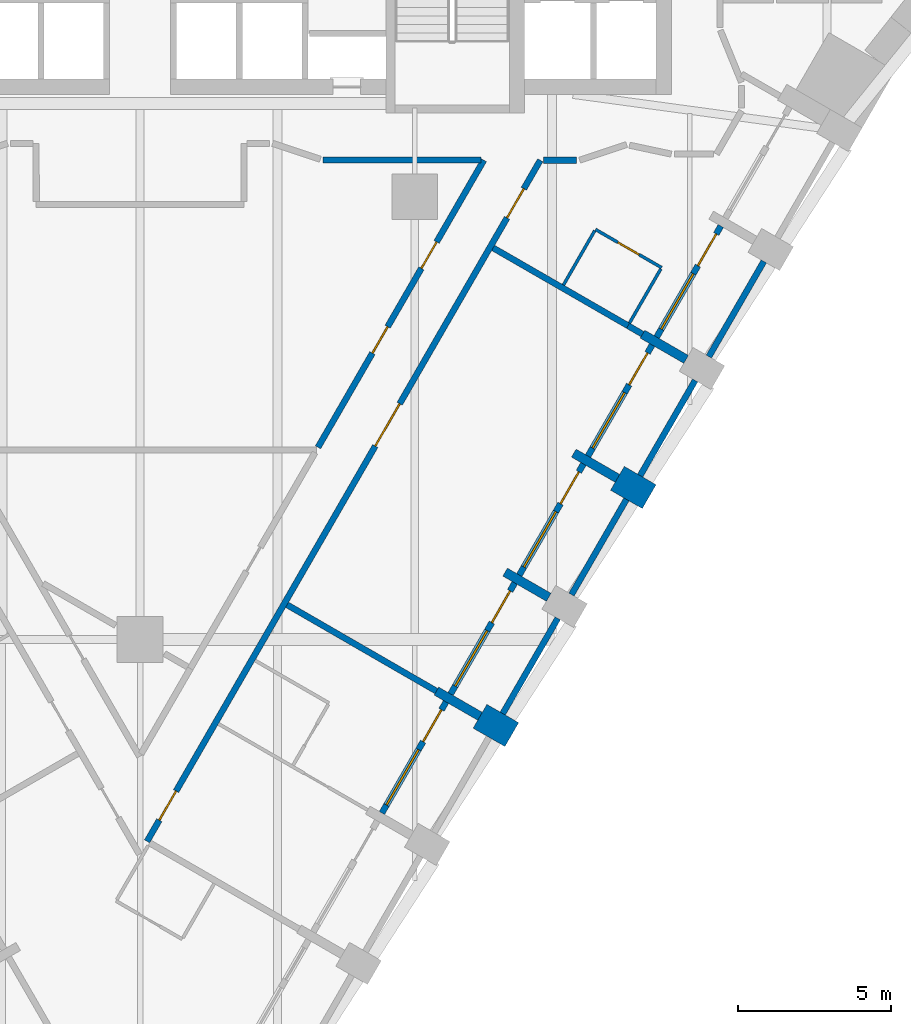
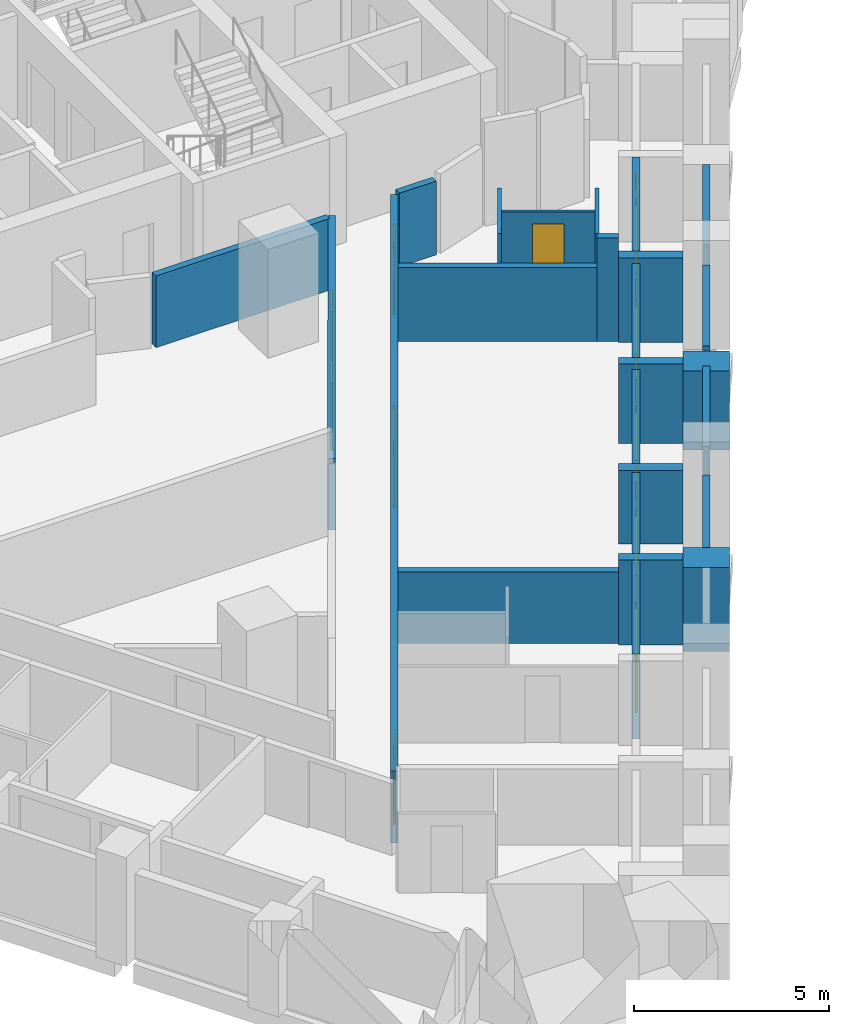
# One storey, part 5 of 11: 25 walls, 11 doors, 5 windows, 16 openings.
"""IFC4 building model written with IfcOpenShell, lengths in metres."""

from ifc_helpers import new_model, si_unit, direction, frame, frame_2d, origin, place, context, subcontext, project, spatial, rectangle, extrude, material, layer, layer_set, type_object, element, fill, save


model = new_model("IFC4")

# Units and contexts
model_context = context("Model", 3, precision=1e-05, world=origin(), true_north=direction((0.0, 1.0)))
body_context = subcontext(model_context, "Body", "Model", "MODEL_VIEW")
ifc_project = project(units=[si_unit("LENGTHUNIT", "METRE"), si_unit("AREAUNIT", "SQUARE_METRE"), si_unit("VOLUMEUNIT", "CUBIC_METRE"), si_unit("PLANEANGLEUNIT", "RADIAN"), si_unit("MASSUNIT", "GRAM", prefix="KILO")], contexts=[model_context])

# Site, building, storey
site_placement = place(None, origin())
site = spatial("IfcSite", under=ifc_project, at=site_placement, CompositionType="ELEMENT")
building_placement = place(site_placement, origin())
building = spatial("IfcBuilding", under=site, at=building_placement, Name="Calabash Gate Tower", CompositionType="ELEMENT")
storey_placement = place(building_placement, frame((0.0, 0.0, 125.800048828125)))
storey = spatial("IfcBuildingStorey", under=building, at=storey_placement, Name="L29", CompositionType="ELEMENT", Elevation=125.800048828125)

# Walls
ifc_material_1 = material(Name="Terracotta brick masonry, exposed face", Category="masonry")
ifc_layer_1 = layer(ifc_material_1, 1.199951171875)
ifc_layer_set_1 = layer_set([ifc_layer_1], Name="Brick end wall 1200")
wall_type_1 = type_object("IfcWallType", Name="Brick end wall 1200", PredefinedType="SOLIDWALL", material=ifc_layer_set_1)
wall_1_placement = place(storey_placement, frame((12.17626953125, -15.114990234375, 0.0), z_axis=(0.0, 0.0, 1.0), x_axis=(-0.866094119867, 0.499880961361, 0.0)))
element("IfcWall", 1, at=wall_1_placement, inside=storey, type_object=wall_type_1, Name="Brick pier S08 SE2.3", PredefinedType="SOLIDWALL", context=body_context, shape_type="SweptSolid", body=[
    extrude(rectangle(XDim=1.199951171875, YDim=0.89990234375, at=frame_2d((0.60009765625, 0.0))), origin(), (0.0, 0.0, 1.0), 2.6298828125),
])
wall_2_placement = place(storey_placement, frame((15.636962890625, -6.720947265625, 0.0), z_axis=(0.0, 0.0, 1.0), x_axis=(0.866094119867, -0.499880961361, 0.0)))
element("IfcWall", 2, at=wall_2_placement, inside=storey, type_object=wall_type_1, Name="Brick pier S08 SE2.5", PredefinedType="SOLIDWALL", context=body_context, shape_type="SweptSolid", body=[
    extrude(rectangle(XDim=1.199951171875, YDim=0.89990234375, at=frame_2d((0.60009765625, 0.0))), origin(), (0.0, 0.0, 1.0), 2.473388671875),
])
ifc_material_2 = material(Name="Terracotta brick masonry, exposed face", Category="masonry")
ifc_layer_2 = layer(ifc_material_2, 0.300048828125)
ifc_layer_set_2 = layer_set([ifc_layer_2], Name="Brick loggia cheek wall 300")
wall_type_2 = type_object("IfcWallType", Name="Brick loggia cheek wall 300", PredefinedType="SOLIDWALL", material=ifc_layer_set_2)
wall_3_placement = place(storey_placement, frame((9.7080078125, -13.690185546875, 0.0), z_axis=(0.0, 0.0, 1.0), x_axis=(0.866040211805, -0.499974350878, 0.0)))
element("IfcWall", 3, at=wall_3_placement, inside=storey, type_object=wall_type_2, Name="Loggia cheek S08 SE2.3", PredefinedType="SOLIDWALL", context=body_context, shape_type="SweptSolid", body=[
    extrude(rectangle(XDim=1.64990234375, YDim=0.300048828125, at=frame_2d((0.824951171875, 0.0))), origin(), (0.0, 0.0, 1.0), 2.64990234375),
])
wall_4_placement = place(storey_placement, frame((11.9580078125, -9.79296875, 0.0), z_axis=(0.0, 0.0, 1.0), x_axis=(0.866040211805, -0.499974350878, 0.0)))
element("IfcWall", 4, at=wall_4_placement, inside=storey, type_object=wall_type_2, Name="Loggia cheek S08 SE2.4", PredefinedType="SOLIDWALL", context=body_context, shape_type="SweptSolid", body=[
    extrude(rectangle(XDim=1.64990234375, YDim=0.300048828125, at=frame_2d((0.824951171875, 0.0))), origin(), (0.0, 0.0, 1.0), 2.307861328125),
])
wall_5_placement = place(storey_placement, frame((15.636962890625, -6.720947265625, 0.0), z_axis=(0.0, 0.0, 1.0), x_axis=(-0.865976140824, 0.500085316245, 0.0)))
element("IfcWall", 5, at=wall_5_placement, inside=storey, type_object=wall_type_2, Name="Loggia cheek S08 SE2.5", PredefinedType="SOLIDWALL", context=body_context, shape_type="SweptSolid", body=[
    extrude(rectangle(XDim=1.650146484375, YDim=0.300048828125, at=frame_2d((0.8251953125, 0.0))), origin(), (0.0, 0.0, 1.0), 2.473388671875),
])
wall_6_placement = place(storey_placement, frame((16.4580078125, -1.998779296875, 0.0), z_axis=(0.0, 0.0, 1.0), x_axis=(0.866040211805, -0.499974350878, 0.0)))
element("IfcWall", 6, at=wall_6_placement, inside=storey, type_object=wall_type_2, Name="Loggia cheek S08 SE2.6", PredefinedType="SOLIDWALL", context=body_context, shape_type="SweptSolid", body=[
    extrude(rectangle(XDim=1.64990234375, YDim=0.300048828125, at=frame_2d((0.824951171875, 0.0))), origin(), (0.0, 0.0, 1.0), 2.64990234375),
])
ifc_material_3 = material(Name="Gypsum board on steel studs, mineral wool", Category="steel")
ifc_layer_3 = layer(ifc_material_3, 0.10009765625)
ifc_layer_set_3 = layer_set([ifc_layer_3], Name="Partition 100 gypsum board")
wall_type_3 = type_object("IfcWallType", Name="Partition 100 gypsum board", PredefinedType="PARTITIONING", material=ifc_layer_set_3)
wall_7_placement = place(storey_placement, frame((16.030517578125, -1.635986328125, 0.0), z_axis=(0.0, 0.0, 1.0), x_axis=(0.500646589026, 0.865651773461, 0.0)))
element("IfcWall", 7, at=wall_7_placement, inside=storey, type_object=wall_type_3, Name="Partition", PredefinedType="PARTITIONING", context=body_context, shape_type="SweptSolid", body=[
    extrude(rectangle(XDim=2.050048828125, YDim=0.10009765625, at=frame_2d((1.02490234375, 0.0))), origin(), (0.0, 0.0, 1.0), 3.22998046875),
])

# Wall, opening, door
wall_8_placement = place(storey_placement, frame((14.9169921875, 1.431884765625, 0.0), z_axis=(0.0, 0.0, 1.0), x_axis=(0.866022959057, -0.500004234368, 0.0)))
wall_8 = element("IfcWall", 8, at=wall_8_placement, inside=storey, type_object=wall_type_3, Name="Partition", PredefinedType="PARTITIONING", context=body_context, shape_type="SweptSolid", body=[
    extrude(rectangle(XDim=2.5, YDim=0.10009765625, at=frame_2d((1.25, 0.0))), origin(), (0.0, 0.0, 1.0), 2.473388671875),
])
opening_1_placement = place(wall_8_placement, frame((0.85009765625, 0.0, 0.0)))
opening_1 = element("IfcOpeningElement", 9, at=opening_1_placement, cuts=wall_8, Name="Opening 28-30-014", PredefinedType="OPENING", context=body_context, shape_type="SweptSolid", body=[
    extrude(rectangle(XDim=0.800048828125, YDim=2.10009765625, at=frame_2d((0.39990234375, 1.050048828125))), frame((0.0, 0.06005859375, 0.0), z_axis=(0.0, -1.0, 0.0), x_axis=(1.0, 0.0, 0.0)), (0.0, 0.0, 1.0), 0.1201171875),
])
ifc_material_4 = material(Name="Painted timber door", Category="wood")
door_type_1 = type_object("IfcDoorType", Name="GD5 En-suite door 800x2100", OperationType="NOTDEFINED", PredefinedType="DOOR", material=ifc_material_4)
door_1_placement = place(opening_1_placement, origin())
door_1 = element("IfcDoor", 10, at=door_1_placement, inside=storey, type_object=door_type_1, Name="En-suite door", OperationType="SINGLE_SWING_RIGHT", OverallHeight=2.10009765625, OverallWidth=0.800048828125, PredefinedType="DOOR", context=body_context, shape_type="SweptSolid", body=[
    extrude(rectangle(XDim=0.800048828125, YDim=2.10009765625, at=frame_2d((0.39990234375, 1.050048828125))), frame((0.0, 0.02490234375, 0.0), z_axis=(0.0, -1.0, 0.0), x_axis=(1.0, 0.0, 0.0)), (0.0, 0.0, 1.0), 0.050048828125),
])
fill(opening_1, door_1)

# Walls
wall_9_placement = place(storey_placement, frame((13.868408203125, -0.387451171875, 0.0), z_axis=(0.0, 0.0, 1.0), x_axis=(0.499265284884, 0.866449176415, 0.0)))
element("IfcWall", 11, at=wall_9_placement, inside=storey, type_object=wall_type_3, Name="Partition", PredefinedType="PARTITIONING", context=body_context, shape_type="SweptSolid", body=[
    extrude(rectangle(XDim=2.0498046875, YDim=0.10009765625, at=frame_2d((1.02490234375, 0.0))), origin(), (0.0, 0.0, 1.0), 3.22998046875),
])
ifc_material_5 = material(Name="Gypsum board on steel studs, mineral wool", Category="steel")
ifc_layer_4 = layer(ifc_material_5, 0.199951171875)
ifc_layer_set_4 = layer_set([ifc_layer_4], Name="Partition 200 gypsum board EI 60")
wall_type_4 = type_object("IfcWallType", Name="Partition 200 gypsum board EI 60", PredefinedType="PARTITIONING", material=ifc_layer_set_4)
wall_10_placement = place(storey_placement, frame((4.816162109375, -10.863525390625, 0.0), z_axis=(0.0, 0.0, 1.0), x_axis=(0.865863825321, -0.500279757735, 0.0)))
element("IfcWall", 12, at=wall_10_placement, inside=storey, type_object=wall_type_4, Name="Partition", PredefinedType="PARTITIONING", context=body_context, shape_type="SweptSolid", body=[
    extrude(rectangle(XDim=5.649658203125, YDim=0.199951171875, at=frame_2d((2.82470703125, 0.0))), origin(), (0.0, 0.0, 1.0), 2.24169921875),
])

# Wall, openings, doors
wall_11_placement = place(storey_placement, frame((5.8291015625, -5.70458984375, 0.0), z_axis=(0.0, 0.0, 1.0), x_axis=(0.500142759665, 0.865942965763, 0.0)))
wall_11 = element("IfcWall", 13, at=wall_11_placement, inside=storey, type_object=wall_type_4, Name="Partition", PredefinedType="PARTITIONING", context=body_context, shape_type="SweptSolid", body=[
    extrude(rectangle(XDim=10.860107421875, YDim=0.199951171875, at=frame_2d((5.43017578125, 0.0))), origin(), (0.0, 0.0, 1.0), 2.24169921875),
])
opening_2_placement = place(wall_11_placement, frame((6.768310546875, 0.0, 0.0)))
opening_2 = element("IfcOpeningElement", 14, at=opening_2_placement, cuts=wall_11, Name="Opening 28-30-011", PredefinedType="OPENING", context=body_context, shape_type="SweptSolid", body=[
    extrude(rectangle(XDim=1.0, YDim=2.10009765625, at=frame_2d((0.5, 1.050048828125))), frame((0.0, 0.10986328125, 0.0), z_axis=(0.0, -1.0, 0.0), x_axis=(1.0, 0.0, 0.0)), (0.0, 0.0, 1.0), 0.219970703125),
])
opening_3_placement = place(wall_11_placement, frame((3.56298828125, 0.0, 0.0)))
opening_3 = element("IfcOpeningElement", 15, at=opening_3_placement, cuts=wall_11, Name="Opening 28-30-025", PredefinedType="OPENING", context=body_context, shape_type="SweptSolid", body=[
    extrude(rectangle(XDim=1.0, YDim=2.10009765625, at=frame_2d((0.5, 1.050048828125))), frame((0.0, 0.10986328125, 0.0), z_axis=(0.0, -1.0, 0.0), x_axis=(1.0, 0.0, 0.0)), (0.0, 0.0, 1.0), 0.219970703125),
])
ifc_material_6 = material(Name="Steel fire door set with fire-resisting glazing", Category="steel")
door_type_2 = type_object("IfcDoorType", Name="LD2 Meeting room door 1000x2100", OperationType="NOTDEFINED", PredefinedType="DOOR", material=ifc_material_6)
door_2_placement = place(opening_2_placement, origin())
door_2 = element("IfcDoor", 16, at=door_2_placement, inside=storey, type_object=door_type_2, Name="Meeting room door", OperationType="SINGLE_SWING_RIGHT", OverallHeight=2.10009765625, OverallWidth=1.0, PredefinedType="DOOR", context=body_context, shape_type="SweptSolid", body=[
    extrude(rectangle(XDim=1.0, YDim=2.10009765625, at=frame_2d((0.5, 1.050048828125))), frame((0.0, 0.02490234375, 0.0), z_axis=(0.0, -1.0, 0.0), x_axis=(1.0, 0.0, 0.0)), (0.0, 0.0, 1.0), 0.050048828125),
])
fill(opening_2, door_2)
door_3_placement = place(opening_3_placement, origin())
door_3 = element("IfcDoor", 17, at=door_3_placement, inside=storey, type_object=door_type_2, Name="Meeting room door", OperationType="SINGLE_SWING_LEFT", OverallHeight=2.10009765625, OverallWidth=1.0, PredefinedType="DOOR", context=body_context, shape_type="SweptSolid", body=[
    extrude(rectangle(XDim=1.0, YDim=2.10009765625, at=frame_2d((0.5, 1.050048828125))), frame((0.0, 0.02490234375, 0.0), z_axis=(0.0, -1.0, 0.0), x_axis=(1.0, 0.0, 0.0)), (0.0, 0.0, 1.0), 0.050048828125),
])
fill(opening_3, door_3)

# Walls
wall_12_placement = place(storey_placement, frame((15.98291015625, -1.72216796875, 0.0), z_axis=(0.0, 0.0, 1.0), x_axis=(0.864695615284, -0.502296220281, 0.0)))
element("IfcWall", 18, at=wall_12_placement, inside=storey, type_object=wall_type_4, Name="Partition", PredefinedType="PARTITIONING", context=body_context, shape_type="SweptSolid", body=[
    extrude(rectangle(XDim=0.5498046875, YDim=0.199951171875, at=frame_2d((0.27490234375, 0.0))), origin(), (0.0, 0.0, 1.0), 3.22998046875),
])
wall_13_placement = place(storey_placement, frame((11.565673828125, 0.826416015625, 0.0), z_axis=(0.0, 0.0, 1.0), x_axis=(0.866318662666, -0.499491716364, 0.0)))
element("IfcWall", 19, at=wall_13_placement, inside=storey, type_object=wall_type_4, Name="Partition", PredefinedType="PARTITIONING", context=body_context, shape_type="SweptSolid", body=[
    extrude(rectangle(XDim=5.099365234375, YDim=0.199951171875, at=frame_2d((2.5498046875, 0.0))), origin(), (0.0, 0.0, 1.0), 2.307861328125),
])
wall_14_placement = place(storey_placement, frame((6.0, 3.69970703125, 0.0), z_axis=(0.0, 0.0, 1.0), x_axis=(1.0, 0.0, 0.0)))
element("IfcWall", 20, at=wall_14_placement, inside=storey, type_object=wall_type_4, Name="Partition", PredefinedType="PARTITIONING", context=body_context, shape_type="SweptSolid", body=[
    extrude(rectangle(XDim=5.160888671875, YDim=0.199951171875, at=frame_2d((2.58056640625, 0.0))), origin(), (0.0, 0.0, 1.0), 2.24169921875),
])

# Wall, openings, doors
wall_15_placement = place(storey_placement, frame((0.22998046875, -18.6103515625, 0.0), z_axis=(0.0, 0.0, 1.0), x_axis=(0.499999197515, 0.866025867099, 0.0)))
wall_15 = element("IfcWall", 21, at=wall_15_placement, inside=storey, type_object=wall_type_4, Name="Partition", PredefinedType="PARTITIONING", context=body_context, shape_type="SweptSolid", body=[
    extrude(rectangle(XDim=25.76025390625, YDim=0.199951171875, at=frame_2d((12.880126953125, 0.0))), origin(), (0.0, 0.0, 1.0), 2.24169921875),
])
opening_4_placement = place(wall_15_placement, frame((0.800048828125, 0.0, 0.0)))
opening_4 = element("IfcOpeningElement", 22, at=opening_4_placement, cuts=wall_15, Name="Opening 28-30-007", PredefinedType="OPENING", context=body_context, shape_type="SweptSolid", body=[
    extrude(rectangle(XDim=1.10009765625, YDim=2.10009765625, at=frame_2d((0.550048828125, 1.050048828125))), frame((0.0, 0.10986328125, 0.0), z_axis=(0.0, -1.0, 0.0), x_axis=(1.0, 0.0, 0.0)), (0.0, 0.0, 1.0), 0.219970703125),
])
opening_5_placement = place(wall_15_placement, frame((14.9501953125, 0.0, 0.0)))
opening_5 = element("IfcOpeningElement", 23, at=opening_5_placement, cuts=wall_15, Name="Opening 28-30-010", PredefinedType="OPENING", context=body_context, shape_type="SweptSolid", body=[
    extrude(rectangle(XDim=1.60009765625, YDim=2.10009765625, at=frame_2d((0.800048828125, 1.050048828125))), frame((0.0, 0.10986328125, 0.0), z_axis=(0.0, -1.0, 0.0), x_axis=(1.0, 0.0, 0.0)), (0.0, 0.0, 1.0), 0.219970703125),
])
opening_6_placement = place(wall_15_placement, frame((23.580322265625, 0.0, 0.0)))
opening_6 = element("IfcOpeningElement", 24, at=opening_6_placement, cuts=wall_15, Name="Opening 28-30-023", PredefinedType="OPENING", context=body_context, shape_type="SweptSolid", body=[
    extrude(rectangle(XDim=1.10009765625, YDim=2.10009765625, at=frame_2d((0.550048828125, 1.050048828125))), frame((0.0, 0.10986328125, 0.0), z_axis=(0.0, -1.0, 0.0), x_axis=(1.0, 0.0, 0.0)), (0.0, 0.0, 1.0), 0.219970703125),
])
ifc_material_7 = material(Name="Steel fire door set with fire-resisting glazing", Category="steel")
door_type_3 = type_object("IfcDoorType", Name="GD3 Suite entrance door 1100x2100", OperationType="NOTDEFINED", PredefinedType="DOOR", material=ifc_material_7)
door_4_placement = place(opening_4_placement, origin())
door_4 = element("IfcDoor", 25, at=door_4_placement, inside=storey, type_object=door_type_3, Name="Suite entrance door", OperationType="SINGLE_SWING_RIGHT", OverallHeight=2.10009765625, OverallWidth=1.10009765625, PredefinedType="DOOR", context=body_context, shape_type="SweptSolid", body=[
    extrude(rectangle(XDim=1.10009765625, YDim=2.10009765625, at=frame_2d((0.550048828125, 1.050048828125))), frame((0.0, 0.02490234375, 0.0), z_axis=(0.0, -1.0, 0.0), x_axis=(1.0, 0.0, 0.0)), (0.0, 0.0, 1.0), 0.050048828125),
])
fill(opening_4, door_4)
door_5_placement = place(opening_6_placement, origin())
door_5 = element("IfcDoor", 26, at=door_5_placement, inside=storey, type_object=door_type_3, Name="Suite entrance door", OperationType="SINGLE_SWING_LEFT", OverallHeight=2.10009765625, OverallWidth=1.10009765625, PredefinedType="DOOR", context=body_context, shape_type="SweptSolid", body=[
    extrude(rectangle(XDim=1.10009765625, YDim=2.10009765625, at=frame_2d((0.550048828125, 1.050048828125))), frame((0.0, 0.02490234375, 0.0), z_axis=(0.0, -1.0, 0.0), x_axis=(1.0, 0.0, 0.0)), (0.0, 0.0, 1.0), 0.050048828125),
])
fill(opening_6, door_5)
ifc_material_8 = material(Name="Steel fire door set with fire-resisting glazing", Category="steel")
door_type_4 = type_object("IfcDoorType", Name="LD1 Lounge double door 1600x2100", OperationType="NOTDEFINED", PredefinedType="DOOR", material=ifc_material_8)
door_6_placement = place(opening_5_placement, origin())
door_6 = element("IfcDoor", 27, at=door_6_placement, inside=storey, type_object=door_type_4, Name="Lounge double door", OperationType="DOUBLE_DOOR_SINGLE_SWING", OverallHeight=2.10009765625, OverallWidth=1.60009765625, PredefinedType="DOOR", context=body_context, shape_type="SweptSolid", body=[
    extrude(rectangle(XDim=1.60009765625, YDim=2.10009765625, at=frame_2d((0.800048828125, 1.050048828125))), frame((0.0, 0.02490234375, 0.0), z_axis=(0.0, -1.0, 0.0), x_axis=(1.0, 0.0, 0.0)), (0.0, 0.0, 1.0), 0.050048828125),
])
fill(opening_5, door_6)

# Walls
wall_16_placement = place(storey_placement, frame((13.208984375, 3.699462890625, 0.0), z_axis=(0.0, 0.0, 1.0), x_axis=(1.0, 0.0, 0.0)))
element("IfcWall", 28, at=wall_16_placement, inside=storey, type_object=wall_type_4, Name="Partition", PredefinedType="PARTITIONING", context=body_context, shape_type="SweptSolid", body=[
    extrude(rectangle(XDim=1.091064453125, YDim=0.199951171875, at=frame_2d((0.54541015625, 0.0))), origin(), (0.0, 0.0, 1.0), 2.307861328125),
])
ifc_material_9 = material(Name="Terracotta brick masonry, perforated", Category="masonry")
ifc_layer_5 = layer(ifc_material_9, 0.199951171875)
ifc_layer_set_5 = layer_set([ifc_layer_5], Name="Terracotta jaali screen B")
wall_type_5 = type_object("IfcWallType", Name="Terracotta jaali screen B", PredefinedType="SOLIDWALL", material=ifc_layer_set_5)
wall_17_placement = place(storey_placement, frame((11.881591796875, -14.42529296875, 0.0), z_axis=(0.0, 0.0, 1.0), x_axis=(0.500012057535, 0.866018442252, 0.0)))
element("IfcWall", 29, at=wall_17_placement, inside=storey, type_object=wall_type_5, Name="SCREEN B S08 SE2.4", PredefinedType="SOLIDWALL", context=body_context, shape_type="SweptSolid", body=[
    extrude(rectangle(XDim=3.60009765625, YDim=0.199951171875, at=frame_2d((1.800048828125, 0.0))), origin(), (0.0, 0.0, 1.0), 2.3740234375),
])
for number, where, z_axis, x_axis, name in (
    (30, (14.131591796875, -10.5283203125, 0.0), (0.0, 0.0, 1.0), (0.500012057535, 0.866018442252, 0.0), "SCREEN B S08 SE2.5"),
    (31, (16.381591796875, -6.631103515625, 0.0), (0.0, 0.0, 1.0), (0.500012057535, 0.866018442252, 0.0), "SCREEN B S08 SE2.6"),
):
    element("IfcWall", number, at=place(storey_placement, frame(where, z_axis=z_axis, x_axis=x_axis)), inside=storey, type_object=wall_type_5, Name=name, PredefinedType="SOLIDWALL", context=body_context, shape_type="SweptSolid", body=[
        extrude(rectangle(XDim=3.60009765625, YDim=0.199951171875, at=frame_2d((1.800048828125, 0.0))), origin(), (0.0, 0.0, 1.0), 2.6298828125),
    ])
wall_18_placement = place(storey_placement, frame((18.631591796875, -2.734130859375, 0.0), z_axis=(0.0, 0.0, 1.0), x_axis=(0.499982693035, 0.866035395735, 0.0)))
element("IfcWall", 32, at=wall_18_placement, inside=storey, type_object=wall_type_5, Name="SCREEN B S08 SE2.7", PredefinedType="SOLIDWALL", context=body_context, shape_type="SweptSolid", body=[
    extrude(rectangle(XDim=3.600341796875, YDim=0.199951171875, at=frame_2d((1.80029296875, 0.0))), origin(), (0.0, 0.0, 1.0), 2.6298828125),
])

# Wall, openings, door, window
ifc_material_10 = material(Name="Aluminium framed window wall with insulated spandrel", Category="aluminium")
ifc_layer_6 = layer(ifc_material_10, 0.199951171875)
ifc_layer_set_6 = layer_set([ifc_layer_6], Name="Window wall 200")
wall_type_6 = type_object("IfcWallType", Name="Window wall 200", PredefinedType="ELEMENTEDWALL", material=ifc_layer_set_6)
wall_19_placement = place(storey_placement, frame((7.9228515625, -17.682373046875, 0.0), z_axis=(0.0, 0.0, 1.0), x_axis=(0.499958946799, 0.866049104564, 0.0)))
wall_19 = element("IfcWall", 33, at=wall_19_placement, inside=storey, type_object=wall_type_6, Name="Window wall S08 SE2.3", PredefinedType="ELEMENTEDWALL", context=body_context, shape_type="SweptSolid", body=[
    extrude(rectangle(XDim=4.199951171875, YDim=0.199951171875, at=frame_2d((2.10009765625, 0.0))), origin(), (0.0, 0.0, 1.0), 2.64990234375),
])
opening_7_placement = place(wall_19_placement, frame((0.300048828125, 0.0, 0.60009765625)))
opening_7 = element("IfcOpeningElement", 34, at=opening_7_placement, cuts=wall_19, Name="Opening HW1", PredefinedType="OPENING", context=body_context, shape_type="SweptSolid", body=[
    extrude(rectangle(XDim=2.10009765625, YDim=1.800048828125, at=frame_2d((1.050048828125, 0.89990234375))), frame((0.0, 0.10986328125, 0.0), z_axis=(0.0, -1.0, 0.0), x_axis=(1.0, 0.0, 0.0)), (0.0, 0.0, 1.0), 0.219970703125),
])
opening_8_placement = place(wall_19_placement, frame((2.699951171875, 0.0, 0.0)))
opening_8 = element("IfcOpeningElement", 35, at=opening_8_placement, cuts=wall_19, Name="Opening H8-020", PredefinedType="OPENING", context=body_context, shape_type="SweptSolid", body=[
    extrude(rectangle(XDim=1.199951171875, YDim=2.39990234375, at=frame_2d((0.60009765625, 1.199951171875))), frame((0.0, 0.10986328125, 0.0), z_axis=(0.0, -1.0, 0.0), x_axis=(1.0, 0.0, 0.0)), (0.0, 0.0, 1.0), 0.219970703125),
])
ifc_material_11 = material(Name="Anodised aluminium frame, bronze finish, impact-rated laminated clear glazing", Category="aluminium")
door_type_5 = type_object("IfcDoorType", Name="Loggia door DH1 1200x2400", OperationType="SLIDING_TO_LEFT", PredefinedType="DOOR", material=ifc_material_11)
door_7_placement = place(opening_8_placement, origin())
door_7 = element("IfcDoor", 36, at=door_7_placement, inside=storey, type_object=door_type_5, Name="Loggia door S08 SE2.3", OperationType="SINGLE_SWING_LEFT", OverallHeight=2.39990234375, OverallWidth=1.199951171875, PredefinedType="DOOR", context=body_context, shape_type="SweptSolid", body=[
    extrude(rectangle(XDim=1.199951171875, YDim=2.39990234375, at=frame_2d((0.60009765625, 1.199951171875))), frame((0.0, 0.02490234375, 0.0), z_axis=(0.0, -1.0, 0.0), x_axis=(1.0, 0.0, 0.0)), (0.0, 0.0, 1.0), 0.050048828125),
])
fill(opening_8, door_7)
ifc_material_12 = material(Name="Anodised aluminium frame, bronze finish, impact-rated laminated clear glazing", Category="aluminium")
window_type_1 = type_object("IfcWindowType", Name="Window HW1 2100x1800", PartitioningType="DOUBLE_PANEL_VERTICAL", PredefinedType="WINDOW", material=ifc_material_12)
window_1_placement = place(opening_7_placement, origin())
window_1 = element("IfcWindow", 37, at=window_1_placement, inside=storey, type_object=window_type_1, Name="Window HW1 S08 SE2.3", OverallHeight=1.800048828125, OverallWidth=2.10009765625, PartitioningType="SINGLE_PANEL", PredefinedType="WINDOW", context=body_context, shape_type="SweptSolid", body=[
    extrude(rectangle(XDim=2.10009765625, YDim=1.800048828125, at=frame_2d((1.050048828125, 0.89990234375))), frame((0.0, 0.030029296875, 0.0), z_axis=(0.0, -1.0, 0.0), x_axis=(1.0, 0.0, 0.0)), (0.0, 0.0, 1.0), 0.06005859375),
])
fill(opening_7, window_1)

wall_20_placement = place(storey_placement, frame((10.1728515625, -13.78515625, 0.0), z_axis=(0.0, 0.0, 1.0), x_axis=(0.49998411664, 0.866034573852, 0.0)))
wall_20 = element("IfcWall", 38, at=wall_20_placement, inside=storey, type_object=wall_type_6, Name="Window wall S08 SE2.4", PredefinedType="ELEMENTEDWALL", context=body_context, shape_type="SweptSolid", body=[
    extrude(rectangle(XDim=4.199951171875, YDim=0.199951171875, at=frame_2d((2.10009765625, 0.0))), origin(), (0.0, 0.0, 1.0), 2.24169921875),
])
opening_9_placement = place(wall_20_placement, frame((0.300048828125, 0.0, 0.60009765625)))
opening_9 = element("IfcOpeningElement", 39, at=opening_9_placement, cuts=wall_20, Name="Opening HW1L-1540", PredefinedType="OPENING", context=body_context, shape_type="SweptSolid", body=[
    extrude(rectangle(XDim=2.10009765625, YDim=1.5400390625, at=frame_2d((1.050048828125, 0.77001953125))), frame((0.0, 0.10986328125, 0.0), z_axis=(0.0, -1.0, 0.0), x_axis=(1.0, 0.0, 0.0)), (0.0, 0.0, 1.0), 0.219970703125),
])
opening_10_placement = place(wall_20_placement, frame((2.699951171875, 0.0, 0.0)))
opening_10 = element("IfcOpeningElement", 40, at=opening_10_placement, cuts=wall_20, Name="Opening H8-021", PredefinedType="OPENING", context=body_context, shape_type="SweptSolid", body=[
    extrude(rectangle(XDim=1.199951171875, YDim=2.139892578125, at=frame_2d((0.60009765625, 1.06982421875))), frame((0.0, 0.10986328125, 0.0), z_axis=(0.0, -1.0, 0.0), x_axis=(1.0, 0.0, 0.0)), (0.0, 0.0, 1.0), 0.219970703125),
])
ifc_material_13 = material(Name="Anodised aluminium frame, bronze finish, impact-rated laminated clear glazing", Category="aluminium")
door_type_6 = type_object("IfcDoorType", Name="Loggia door DH1L-2140 1200x2140", OperationType="SLIDING_TO_LEFT", PredefinedType="DOOR", material=ifc_material_13)
door_8_placement = place(opening_10_placement, origin())
door_8 = element("IfcDoor", 41, at=door_8_placement, inside=storey, type_object=door_type_6, Name="Loggia door S08 SE2.4", OperationType="SINGLE_SWING_LEFT", OverallHeight=2.139892578125, OverallWidth=1.199951171875, PredefinedType="DOOR", context=body_context, shape_type="SweptSolid", body=[
    extrude(rectangle(XDim=1.199951171875, YDim=2.139892578125, at=frame_2d((0.60009765625, 1.06982421875))), frame((0.0, 0.02490234375, 0.0), z_axis=(0.0, -1.0, 0.0), x_axis=(1.0, 0.0, 0.0)), (0.0, 0.0, 1.0), 0.050048828125),
])
fill(opening_10, door_8)
ifc_material_14 = material(Name="Anodised aluminium frame, bronze finish, impact-rated laminated clear glazing", Category="aluminium")
window_type_2 = type_object("IfcWindowType", Name="Window HW1L 2100x1540", PartitioningType="DOUBLE_PANEL_VERTICAL", PredefinedType="WINDOW", material=ifc_material_14)
window_2_placement = place(opening_9_placement, origin())
window_2 = element("IfcWindow", 42, at=window_2_placement, inside=storey, type_object=window_type_2, Name="Window HW1 S08 SE2.4", OverallHeight=1.5400390625, OverallWidth=2.10009765625, PartitioningType="SINGLE_PANEL", PredefinedType="WINDOW", context=body_context, shape_type="SweptSolid", body=[
    extrude(rectangle(XDim=2.10009765625, YDim=1.5400390625, at=frame_2d((1.050048828125, 0.77001953125))), frame((0.0, 0.030029296875, 0.0), z_axis=(0.0, -1.0, 0.0), x_axis=(1.0, 0.0, 0.0)), (0.0, 0.0, 1.0), 0.06005859375),
])
fill(opening_9, window_2)

wall_21_placement = place(storey_placement, frame((12.4228515625, -9.887939453125, 0.0), z_axis=(0.0, 0.0, 1.0), x_axis=(0.49998411664, 0.866034573852, 0.0)))
wall_21 = element("IfcWall", 43, at=wall_21_placement, inside=storey, type_object=wall_type_6, Name="Window wall S08 SE2.5", PredefinedType="ELEMENTEDWALL", context=body_context, shape_type="SweptSolid", body=[
    extrude(rectangle(XDim=4.199951171875, YDim=0.199951171875, at=frame_2d((2.10009765625, 0.0))), origin(), (0.0, 0.0, 1.0), 2.307861328125),
])
opening_11_placement = place(wall_21_placement, frame((0.300048828125, 0.0, 0.60009765625)))
opening_11 = element("IfcOpeningElement", 44, at=opening_11_placement, cuts=wall_21, Name="Opening HW1L-1610", PredefinedType="OPENING", context=body_context, shape_type="SweptSolid", body=[
    extrude(rectangle(XDim=2.10009765625, YDim=1.610107421875, at=frame_2d((1.050048828125, 0.80517578125))), frame((0.0, 0.10986328125, 0.0), z_axis=(0.0, -1.0, 0.0), x_axis=(1.0, 0.0, 0.0)), (0.0, 0.0, 1.0), 0.219970703125),
])
opening_12_placement = place(wall_21_placement, frame((2.699951171875, 0.0, 0.0)))
opening_12 = element("IfcOpeningElement", 45, at=opening_12_placement, cuts=wall_21, Name="Opening H8-022", PredefinedType="OPENING", context=body_context, shape_type="SweptSolid", body=[
    extrude(rectangle(XDim=1.199951171875, YDim=2.2099609375, at=frame_2d((0.60009765625, 1.10498046875))), frame((0.0, 0.10986328125, 0.0), z_axis=(0.0, -1.0, 0.0), x_axis=(1.0, 0.0, 0.0)), (0.0, 0.0, 1.0), 0.219970703125),
])
ifc_material_15 = material(Name="Anodised aluminium frame, bronze finish, impact-rated laminated clear glazing", Category="aluminium")
door_type_7 = type_object("IfcDoorType", Name="Loggia door DH1L-2210 1200x2210", OperationType="SLIDING_TO_LEFT", PredefinedType="DOOR", material=ifc_material_15)
door_9_placement = place(opening_12_placement, origin())
door_9 = element("IfcDoor", 46, at=door_9_placement, inside=storey, type_object=door_type_7, Name="Loggia door S08 SE2.5", OperationType="SINGLE_SWING_LEFT", OverallHeight=2.2099609375, OverallWidth=1.199951171875, PredefinedType="DOOR", context=body_context, shape_type="SweptSolid", body=[
    extrude(rectangle(XDim=1.199951171875, YDim=2.2099609375, at=frame_2d((0.60009765625, 1.10498046875))), frame((0.0, 0.02490234375, 0.0), z_axis=(0.0, -1.0, 0.0), x_axis=(1.0, 0.0, 0.0)), (0.0, 0.0, 1.0), 0.050048828125),
])
fill(opening_12, door_9)
ifc_material_16 = material(Name="Anodised aluminium frame, bronze finish, impact-rated laminated clear glazing", Category="aluminium")
window_type_3 = type_object("IfcWindowType", Name="Window HW1L 2100x1610", PartitioningType="DOUBLE_PANEL_VERTICAL", PredefinedType="WINDOW", material=ifc_material_16)
window_3_placement = place(opening_11_placement, origin())
window_3 = element("IfcWindow", 47, at=window_3_placement, inside=storey, type_object=window_type_3, Name="Window HW1 S08 SE2.5", OverallHeight=1.610107421875, OverallWidth=2.10009765625, PartitioningType="SINGLE_PANEL", PredefinedType="WINDOW", context=body_context, shape_type="SweptSolid", body=[
    extrude(rectangle(XDim=2.10009765625, YDim=1.610107421875, at=frame_2d((1.050048828125, 0.80517578125))), frame((0.0, 0.030029296875, 0.0), z_axis=(0.0, -1.0, 0.0), x_axis=(1.0, 0.0, 0.0)), (0.0, 0.0, 1.0), 0.06005859375),
])
fill(opening_11, window_3)

wall_22_placement = place(storey_placement, frame((14.6728515625, -5.990966796875, 0.0), z_axis=(0.0, 0.0, 1.0), x_axis=(0.499958946799, 0.866049104564, 0.0)))
wall_22 = element("IfcWall", 48, at=wall_22_placement, inside=storey, type_object=wall_type_6, Name="Window wall S08 SE2.6", PredefinedType="ELEMENTEDWALL", context=body_context, shape_type="SweptSolid", body=[
    extrude(rectangle(XDim=4.199951171875, YDim=0.199951171875, at=frame_2d((2.10009765625, 0.0))), origin(), (0.0, 0.0, 1.0), 2.473388671875),
])
opening_13_placement = place(wall_22_placement, frame((0.300048828125, 0.0, 0.60009765625)))
opening_13 = element("IfcOpeningElement", 49, at=opening_13_placement, cuts=wall_22, Name="Opening HW1L-1770", PredefinedType="OPENING", context=body_context, shape_type="SweptSolid", body=[
    extrude(rectangle(XDim=2.10009765625, YDim=1.77001953125, at=frame_2d((1.050048828125, 0.885009765625))), frame((0.0, 0.10986328125, 0.0), z_axis=(0.0, -1.0, 0.0), x_axis=(1.0, 0.0, 0.0)), (0.0, 0.0, 1.0), 0.219970703125),
])
opening_14_placement = place(wall_22_placement, frame((2.699951171875, 0.0, 0.0)))
opening_14 = element("IfcOpeningElement", 50, at=opening_14_placement, cuts=wall_22, Name="Opening H8-023", PredefinedType="OPENING", context=body_context, shape_type="SweptSolid", body=[
    extrude(rectangle(XDim=1.199951171875, YDim=2.3701171875, at=frame_2d((0.60009765625, 1.18505859375))), frame((0.0, 0.10986328125, 0.0), z_axis=(0.0, -1.0, 0.0), x_axis=(1.0, 0.0, 0.0)), (0.0, 0.0, 1.0), 0.219970703125),
])
ifc_material_17 = material(Name="Anodised aluminium frame, bronze finish, impact-rated laminated clear glazing", Category="aluminium")
door_type_8 = type_object("IfcDoorType", Name="Loggia door DH1L-2370 1200x2370", OperationType="SLIDING_TO_LEFT", PredefinedType="DOOR", material=ifc_material_17)
door_10_placement = place(opening_14_placement, origin())
door_10 = element("IfcDoor", 51, at=door_10_placement, inside=storey, type_object=door_type_8, Name="Loggia door S08 SE2.6", OperationType="SINGLE_SWING_LEFT", OverallHeight=2.3701171875, OverallWidth=1.199951171875, PredefinedType="DOOR", context=body_context, shape_type="SweptSolid", body=[
    extrude(rectangle(XDim=1.199951171875, YDim=2.3701171875, at=frame_2d((0.60009765625, 1.18505859375))), frame((0.0, 0.02490234375, 0.0), z_axis=(0.0, -1.0, 0.0), x_axis=(1.0, 0.0, 0.0)), (0.0, 0.0, 1.0), 0.050048828125),
])
fill(opening_14, door_10)
ifc_material_18 = material(Name="Anodised aluminium frame, bronze finish, impact-rated laminated clear glazing", Category="aluminium")
window_type_4 = type_object("IfcWindowType", Name="Window HW1L 2100x1770", PartitioningType="DOUBLE_PANEL_VERTICAL", PredefinedType="WINDOW", material=ifc_material_18)
window_4_placement = place(opening_13_placement, origin())
window_4 = element("IfcWindow", 52, at=window_4_placement, inside=storey, type_object=window_type_4, Name="Window HW1 S08 SE2.6", OverallHeight=1.77001953125, OverallWidth=2.10009765625, PartitioningType="SINGLE_PANEL", PredefinedType="WINDOW", context=body_context, shape_type="SweptSolid", body=[
    extrude(rectangle(XDim=2.10009765625, YDim=1.77001953125, at=frame_2d((1.050048828125, 0.885009765625))), frame((0.0, 0.030029296875, 0.0), z_axis=(0.0, -1.0, 0.0), x_axis=(1.0, 0.0, 0.0)), (0.0, 0.0, 1.0), 0.06005859375),
])
fill(opening_13, window_4)

wall_23_placement = place(storey_placement, frame((16.9228515625, -2.09375, 0.0), z_axis=(0.0, 0.0, 1.0), x_axis=(0.49998411664, 0.866034573852, 0.0)))
wall_23 = element("IfcWall", 53, at=wall_23_placement, inside=storey, type_object=wall_type_6, Name="Window wall S08 SE2.7", PredefinedType="ELEMENTEDWALL", context=body_context, shape_type="SweptSolid", body=[
    extrude(rectangle(XDim=4.199951171875, YDim=0.199951171875, at=frame_2d((2.10009765625, 0.0))), origin(), (0.0, 0.0, 1.0), 2.64990234375),
])
opening_15_placement = place(wall_23_placement, frame((0.300048828125, 0.0, 0.60009765625)))
opening_15 = element("IfcOpeningElement", 54, at=opening_15_placement, cuts=wall_23, Name="Opening HW1", PredefinedType="OPENING", context=body_context, shape_type="SweptSolid", body=[
    extrude(rectangle(XDim=2.10009765625, YDim=1.800048828125, at=frame_2d((1.050048828125, 0.89990234375))), frame((0.0, 0.10986328125, 0.0), z_axis=(0.0, -1.0, 0.0), x_axis=(1.0, 0.0, 0.0)), (0.0, 0.0, 1.0), 0.219970703125),
])
opening_16_placement = place(wall_23_placement, frame((2.699951171875, 0.0, 0.0)))
opening_16 = element("IfcOpeningElement", 55, at=opening_16_placement, cuts=wall_23, Name="Opening H8-024", PredefinedType="OPENING", context=body_context, shape_type="SweptSolid", body=[
    extrude(rectangle(XDim=1.199951171875, YDim=2.39990234375, at=frame_2d((0.60009765625, 1.199951171875))), frame((0.0, 0.10986328125, 0.0), z_axis=(0.0, -1.0, 0.0), x_axis=(1.0, 0.0, 0.0)), (0.0, 0.0, 1.0), 0.219970703125),
])
door_11_placement = place(opening_16_placement, origin())
door_11 = element("IfcDoor", 56, at=door_11_placement, inside=storey, type_object=door_type_5, Name="Loggia door S08 SE2.7", OperationType="SINGLE_SWING_LEFT", OverallHeight=2.39990234375, OverallWidth=1.199951171875, PredefinedType="DOOR", context=body_context, shape_type="SweptSolid", body=[
    extrude(rectangle(XDim=1.199951171875, YDim=2.39990234375, at=frame_2d((0.60009765625, 1.199951171875))), frame((0.0, 0.02490234375, 0.0), z_axis=(0.0, -1.0, 0.0), x_axis=(1.0, 0.0, 0.0)), (0.0, 0.0, 1.0), 0.050048828125),
])
fill(opening_16, door_11)
window_5_placement = place(opening_15_placement, origin())
window_5 = element("IfcWindow", 57, at=window_5_placement, inside=storey, type_object=window_type_1, Name="Window HW1 S08 SE2.7", OverallHeight=1.800048828125, OverallWidth=2.10009765625, PartitioningType="SINGLE_PANEL", PredefinedType="WINDOW", context=body_context, shape_type="SweptSolid", body=[
    extrude(rectangle(XDim=2.10009765625, YDim=1.800048828125, at=frame_2d((1.050048828125, 0.89990234375))), frame((0.0, 0.030029296875, 0.0), z_axis=(0.0, -1.0, 0.0), x_axis=(1.0, 0.0, 0.0)), (0.0, 0.0, 1.0), 0.06005859375),
])
fill(opening_15, window_5)

save(model, "model.ifc")
